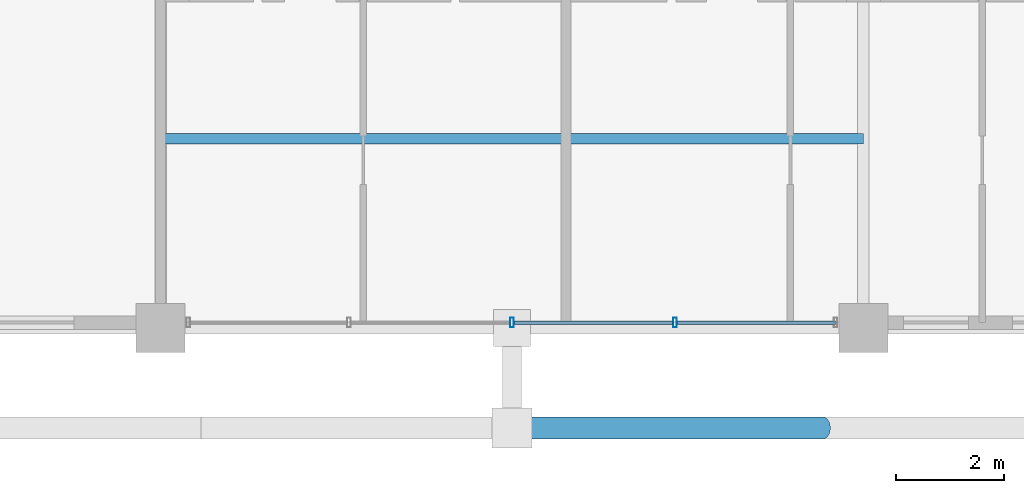
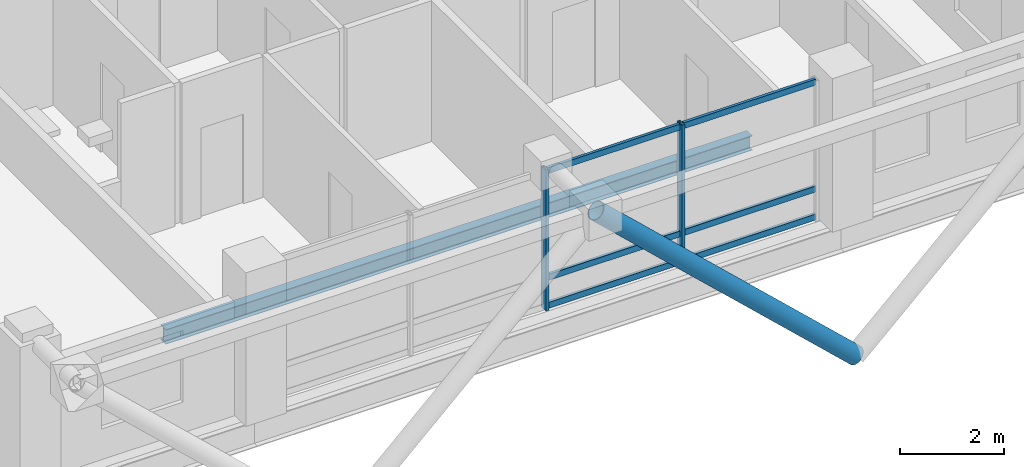
# One storey, part 5 of 25: 9 members, 1 beam, 1 element without a shape of its own.
"""IFC4 building model written with IfcOpenShell, lengths in metres."""

from ifc_helpers import new_model, si_unit, direction, frame, origin, origin_2d, place, context, subcontext, project, spatial, hollow_rectangle, hollow_circle, i_section, extrude, material, layer, layer_set, material_profile, profile_set, type_object, element, aggregate, save


model = new_model("IFC4")

# Units and contexts
model_context = context("Model", 3, precision=1e-05, world=origin(), true_north=direction((0.0, 1.0)))
body_context = subcontext(model_context, "Body", "Model", "MODEL_VIEW")
ifc_project = project(units=[si_unit("LENGTHUNIT", "METRE"), si_unit("AREAUNIT", "SQUARE_METRE"), si_unit("VOLUMEUNIT", "CUBIC_METRE"), si_unit("PLANEANGLEUNIT", "RADIAN"), si_unit("MASSUNIT", "GRAM", prefix="KILO")], contexts=[model_context])

# Site, building, storey
site_placement = place(None, origin())
site = spatial("IfcSite", under=ifc_project, at=site_placement, CompositionType="ELEMENT")
building_placement = place(site_placement, origin())
building = spatial("IfcBuilding", under=site, at=building_placement, Name="Barlavira Tower and Art Museum", CompositionType="ELEMENT")
storey_placement = place(building_placement, frame((0.0, 0.0, 301.5)))
storey = spatial("IfcBuildingStorey", under=building, at=storey_placement, Name="L79", CompositionType="ELEMENT", Elevation=301.5)

# Curtain wall, members
ifc_material_1 = material(Name="Low-iron coastal laminated glass", Category="glass")
ifc_layer = layer(ifc_material_1, 0.2099609375, Name="Low-iron coastal laminated glass")
ifc_layer_set = layer_set([ifc_layer], Name="Low-iron coastal laminated glass")
curtain_wall_type = type_object("IfcCurtainWallType", Name="Pale-Metal Unitised Curtain Wall Zone 4", PredefinedType="NOTDEFINED", material=ifc_layer_set)
curtain_wall_placement = place(storey_placement, origin())
curtain_wall = element("IfcCurtainWall", 1, at=curtain_wall_placement, inside=storey, type_object=curtain_wall_type, Name="L79 Curtain Wall CW4-L79-S-B2", PredefinedType="NOTDEFINED")
ifc_material_2 = material(Name="Pale anodised aluminium", Category="aluminium")
ifc_material_profile_1 = material_profile(ifc_material_2, hollow_rectangle(XDim=0.06494140625, YDim=0.179931640625, WallThickness=0.00390625, at=origin_2d()), Name="ALU-MULL 65x180x4")
ifc_profile_set_1 = profile_set([ifc_material_profile_1], Name="Pale anodised aluminium")
member_type_1 = type_object("IfcMemberType", Name="Curtain Wall Pale-Metal Mullion 65x180", PredefinedType="MULLION", material=ifc_profile_set_1)
member_1_placement = place(storey_placement, frame((0.0, -19.89990234375, 0.0), z_axis=(0.0, 0.0, 1.0), x_axis=(1.0, 0.0, 0.0)))
member_1 = element("IfcMember", 2, at=member_1_placement, type_object=member_type_1, Name="CW4-L79-S-B2 Mullion 2", PredefinedType="MULLION", context=body_context, shape_type="SweptSolid", body=[
    extrude(hollow_rectangle(XDim=0.06494140625, YDim=0.179931640625, WallThickness=0.00390625, at=origin_2d()), origin(), (0.0, 0.0, 1.0), 3.300048828125),
])
member_2_placement = place(storey_placement, frame((3.014892578125, -19.89990234375, 0.0), z_axis=(0.0, 0.0, 1.0), x_axis=(1.0, 0.0, 0.0)))
member_2 = element("IfcMember", 3, at=member_2_placement, type_object=member_type_1, Name="CW4-L79-S-B2 Mullion 3", PredefinedType="MULLION", context=body_context, shape_type="SweptSolid", body=[
    extrude(hollow_rectangle(XDim=0.06494140625, YDim=0.179931640625, WallThickness=0.00390625, at=origin_2d()), origin(), (0.0, 0.0, 1.0), 3.300048828125),
])
ifc_material_profile_2 = material_profile(ifc_material_2, hollow_rectangle(XDim=0.06494140625, YDim=0.139892578125, WallThickness=0.00390625, at=origin_2d()), Name="ALU-TRAN 65x140x4")
ifc_profile_set_2 = profile_set([ifc_material_profile_2], Name="Pale anodised aluminium")
member_type_2 = type_object("IfcMemberType", Name="Curtain Wall Pale-Metal Transom 65x140", PredefinedType="USERDEFINED", material=ifc_profile_set_2)
member_3_placement = place(storey_placement, frame((0.044921875, -19.89990234375, 0.070068359375), z_axis=(1.0, 0.0, 0.0), x_axis=(0.0, 1.0, 0.0)))
member_3 = element("IfcMember", 4, at=member_3_placement, type_object=member_type_2, Name="CW4-L79-S-B2 Transom 2.1", ObjectType="TRANSOM", PredefinedType="USERDEFINED", context=body_context, shape_type="SweptSolid", body=[
    extrude(hollow_rectangle(XDim=0.06494140625, YDim=0.139892578125, WallThickness=0.00390625, at=origin_2d()), origin(), (0.0, 0.0, 1.0), 2.925048828125),
])
member_4_placement = place(storey_placement, frame((0.044921875, -19.89990234375, 0.72607421875), z_axis=(1.0, 0.0, 0.0), x_axis=(0.0, 1.0, 0.0)))
member_4 = element("IfcMember", 5, at=member_4_placement, type_object=member_type_2, Name="CW4-L79-S-B2 Transom 2.2", ObjectType="TRANSOM", PredefinedType="USERDEFINED", context=body_context, shape_type="SweptSolid", body=[
    extrude(hollow_rectangle(XDim=0.06494140625, YDim=0.139892578125, WallThickness=0.00390625, at=origin_2d()), origin(), (0.0, 0.0, 1.0), 2.925048828125),
])
member_5_placement = place(storey_placement, frame((0.044921875, -19.89990234375, 3.22998046875), z_axis=(1.0, 0.0, 0.0), x_axis=(0.0, 1.0, 0.0)))
member_5 = element("IfcMember", 6, at=member_5_placement, type_object=member_type_2, Name="CW4-L79-S-B2 Transom 2.3", ObjectType="TRANSOM", PredefinedType="USERDEFINED", context=body_context, shape_type="SweptSolid", body=[
    extrude(hollow_rectangle(XDim=0.06494140625, YDim=0.139892578125, WallThickness=0.00390625, at=origin_2d()), origin(), (0.0, 0.0, 1.0), 2.925048828125),
])
member_6_placement = place(storey_placement, frame((3.06005859375, -19.89990234375, 0.070068359375), z_axis=(1.0, 0.0, 0.0), x_axis=(0.0, 1.0, 0.0)))
member_6 = element("IfcMember", 7, at=member_6_placement, type_object=member_type_2, Name="CW4-L79-S-B2 Transom 3.1", ObjectType="TRANSOM", PredefinedType="USERDEFINED", context=body_context, shape_type="SweptSolid", body=[
    extrude(hollow_rectangle(XDim=0.06494140625, YDim=0.139892578125, WallThickness=0.00390625, at=origin_2d()), origin(), (0.0, 0.0, 1.0), 2.925048828125),
])
member_7_placement = place(storey_placement, frame((3.06005859375, -19.89990234375, 0.72607421875), z_axis=(1.0, 0.0, 0.0), x_axis=(0.0, 1.0, 0.0)))
member_7 = element("IfcMember", 8, at=member_7_placement, type_object=member_type_2, Name="CW4-L79-S-B2 Transom 3.2", ObjectType="TRANSOM", PredefinedType="USERDEFINED", context=body_context, shape_type="SweptSolid", body=[
    extrude(hollow_rectangle(XDim=0.06494140625, YDim=0.139892578125, WallThickness=0.00390625, at=origin_2d()), origin(), (0.0, 0.0, 1.0), 2.925048828125),
])
member_8_placement = place(storey_placement, frame((3.06005859375, -19.89990234375, 3.22998046875), z_axis=(1.0, 0.0, 0.0), x_axis=(0.0, 1.0, 0.0)))
member_8 = element("IfcMember", 9, at=member_8_placement, type_object=member_type_2, Name="CW4-L79-S-B2 Transom 3.3", ObjectType="TRANSOM", PredefinedType="USERDEFINED", context=body_context, shape_type="SweptSolid", body=[
    extrude(hollow_rectangle(XDim=0.06494140625, YDim=0.139892578125, WallThickness=0.00390625, at=origin_2d()), origin(), (0.0, 0.0, 1.0), 2.925048828125),
])
aggregate(curtain_wall, [member_1, member_2, member_3, member_4, member_5, member_6, member_7, member_8])

# Member
ifc_material_3 = material(Name="Steel S355", Category="steel")
ifc_material_profile_3 = material_profile(ifc_material_3, hollow_circle(Radius=0.203125, WallThickness=0.01611328125, at=origin_2d()), Name="CHS 406.4x16.0")
ifc_profile_set_3 = profile_set([ifc_material_profile_3], Name="Steel S355")
member_type_3 = type_object("IfcMemberType", Name="Pale-Metal Exoskeleton Diagrid Tube CHS 406x16 Steel S355", PredefinedType="BRACE", material=ifc_profile_set_3)
member_9_placement = place(storey_placement, frame((5.75, -21.85009765625, -1.919921875), z_axis=(-0.728950095515, 0.0, 0.684566839869), x_axis=(0.0, -1.0, 0.0)))
element("IfcMember", 10, at=member_9_placement, inside=storey, type_object=member_type_3, Name="L79 Exoskeleton Diagrid Tube S", PredefinedType="BRACE", context=body_context, shape_type="SweptSolid", body=[
    extrude(hollow_circle(Radius=0.203125, WallThickness=0.01611328125, at=origin_2d()), origin(), (0.0, 0.0, 1.0), 7.887939453125),
])

# Beam
ifc_material_profile_4 = material_profile(ifc_material_3, i_section(OverallWidth=0.202880859375, OverallDepth=0.346923828125, WebThickness=0.0078125, FlangeThickness=0.013427734375, at=origin_2d()), Name="W360x64.0")
ifc_profile_set_4 = profile_set([ifc_material_profile_4], Name="Steel S355")
beam_type = type_object("IfcBeamType", Name="Zone 4 Composite Floor Joist W360x64 Steel S355", PredefinedType="JOIST", material=ifc_profile_set_4)
beam_placement = place(storey_placement, frame((-6.5, -16.5, -0.3935546875), z_axis=(1.0, 0.0, 0.0), x_axis=(0.0, 1.0, 0.0)))
element("IfcBeam", 11, at=beam_placement, inside=storey, type_object=beam_type, Name="L79 Joist C1", PredefinedType="JOIST", context=body_context, shape_type="SweptSolid", body=[
    extrude(i_section(OverallWidth=0.202880859375, OverallDepth=0.346923828125, WebThickness=0.0078125, FlangeThickness=0.013427734375, at=origin_2d()), origin(), (0.0, 0.0, 1.0), 13.0),
])

save(model, "model.ifc")
